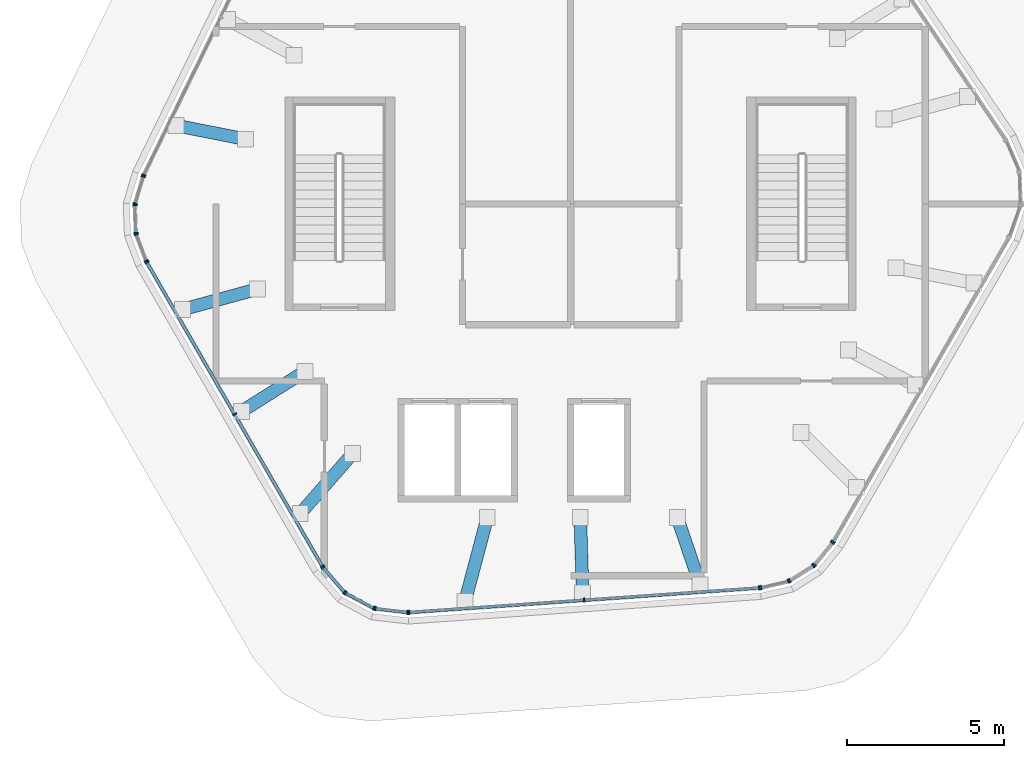
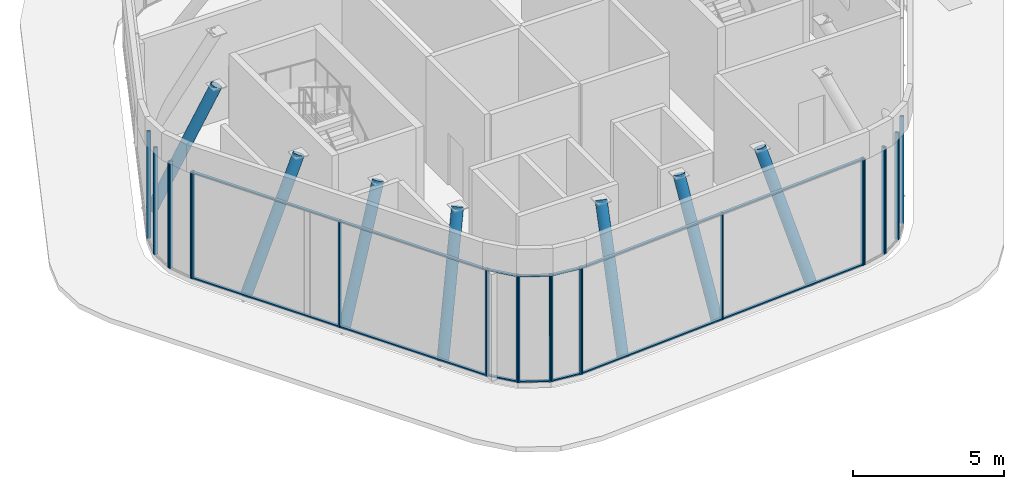
# One storey, part 1 of 9: 47 members, 13 elements without a shape of their own.
"""IFC4 building model written with IfcOpenShell, lengths in metres."""

from ifc_helpers import new_model, si_unit, direction, frame, origin, origin_2d, place, context, subcontext, project, spatial, rectangle, hollow_circle, extrude, material, material_profile, profile_set, type_object, element, aggregate, save


model = new_model("IFC4")

# Units and contexts
model_context = context("Model", 3, precision=1e-05, world=origin(), true_north=direction((0.0, 1.0)))
body_context = subcontext(model_context, "Body", "Model", "MODEL_VIEW")
ifc_project = project(units=[si_unit("LENGTHUNIT", "METRE"), si_unit("AREAUNIT", "SQUARE_METRE"), si_unit("VOLUMEUNIT", "CUBIC_METRE"), si_unit("PLANEANGLEUNIT", "RADIAN"), si_unit("MASSUNIT", "GRAM", prefix="KILO")], contexts=[model_context])

# Site, building, storey
site_placement = place(None, origin())
site = spatial("IfcSite", under=ifc_project, at=site_placement, CompositionType="ELEMENT")
building_placement = place(site_placement, origin())
building = spatial("IfcBuilding", under=site, at=building_placement, Name="Tarnside Tower", CompositionType="ELEMENT")
storey_placement = place(building_placement, frame((0.0, 0.0, 401.699951171875)))
storey = spatial("IfcBuildingStorey", under=building, at=storey_placement, Name="L95", CompositionType="ELEMENT", Elevation=401.699951171875)

# Curtain wall, member
ifc_material_1 = material(Name="Crown glazing wall", Category="glass")
curtain_wall_type = type_object("IfcCurtainWallType", Name="Crown glazing wall", PredefinedType="NOTDEFINED", material=ifc_material_1)
curtain_wall_1_placement = place(storey_placement, origin())
curtain_wall_1 = element("IfcCurtainWall", 1, at=curtain_wall_1_placement, inside=storey, type_object=curtain_wall_type, Name="Crown glazing L95 08", PredefinedType="NOTDEFINED")
ifc_material_2 = material(Name="Aluminium alloy 6063", Category="aluminium")
ifc_material_profile_1 = material_profile(ifc_material_2, rectangle(XDim=0.139892578125, YDim=0.050048828125, at=origin_2d()), Name="Crown glazing mullion 50 x 140")
ifc_profile_set_1 = profile_set([ifc_material_profile_1], Name="Aluminium alloy 6063")
member_type_1 = type_object("IfcMemberType", Name="Crown glazing mullion 50 x 140", PredefinedType="MULLION", material=ifc_profile_set_1)
member_1_placement = place(storey_placement, frame((8.3671875, -10.767333984375, 0.0), z_axis=(0.0, 0.0, 1.0), x_axis=(0.866025403802, -0.49999999997, 0.0)))
member_1 = element("IfcMember", 2, at=member_1_placement, type_object=member_type_1, Name="CW6 mullion 3", PredefinedType="MULLION", context=body_context, shape_type="SweptSolid", body=[
    extrude(rectangle(XDim=0.139892578125, YDim=0.050048828125, at=origin_2d()), origin(), (0.0, 0.0, 1.0), 4.300048828125),
])
aggregate(curtain_wall_1, [member_1])

# Curtain wall, members
curtain_wall_2_placement = place(storey_placement, origin())
curtain_wall_2 = element("IfcCurtainWall", 3, at=curtain_wall_2_placement, inside=storey, type_object=curtain_wall_type, Name="Crown glazing L95 09", PredefinedType="NOTDEFINED")
member_2_placement = place(storey_placement, frame((8.3388671875, -10.808349609375, 0.0), z_axis=(0.0, 0.0, 1.0), x_axis=(0.773471592926, -0.633830967165, 0.0)))
member_2 = element("IfcMember", 4, at=member_2_placement, type_object=member_type_1, Name="CW6 mullion 1", PredefinedType="MULLION", context=body_context, shape_type="SweptSolid", body=[
    extrude(rectangle(XDim=0.139892578125, YDim=0.050048828125, at=origin_2d()), origin(), (0.0, 0.0, 1.0), 4.300048828125),
])
member_3_placement = place(storey_placement, frame((7.767578125, -11.505615234375, 0.0), z_axis=(0.0, 0.0, 1.0), x_axis=(0.773471592926, -0.633830967165, 0.0)))
member_3 = element("IfcMember", 5, at=member_3_placement, type_object=member_type_1, Name="CW6 mullion 2", PredefinedType="MULLION", context=body_context, shape_type="SweptSolid", body=[
    extrude(rectangle(XDim=0.139892578125, YDim=0.050048828125, at=origin_2d()), origin(), (0.0, 0.0, 1.0), 4.300048828125),
])
aggregate(curtain_wall_2, [member_2, member_3])

curtain_wall_3_placement = place(storey_placement, origin())
curtain_wall_3 = element("IfcCurtainWall", 6, at=curtain_wall_3_placement, inside=storey, type_object=curtain_wall_type, Name="Crown glazing L95 10", PredefinedType="NOTDEFINED")
member_4_placement = place(storey_placement, frame((7.73046875, -11.5380859375, 0.0), z_axis=(0.0, 0.0, 1.0), x_axis=(0.529919263508, -0.84804809661, 0.0)))
member_4 = element("IfcMember", 7, at=member_4_placement, type_object=member_type_1, Name="CW6 mullion 1", PredefinedType="MULLION", context=body_context, shape_type="SweptSolid", body=[
    extrude(rectangle(XDim=0.139892578125, YDim=0.050048828125, at=origin_2d()), origin(), (0.0, 0.0, 1.0), 4.300048828125),
])
member_5_placement = place(storey_placement, frame((6.981689453125, -12.006103515625, 0.0), z_axis=(0.0, 0.0, 1.0), x_axis=(0.529919263508, -0.84804809661, 0.0)))
member_5 = element("IfcMember", 8, at=member_5_placement, type_object=member_type_1, Name="CW6 mullion 2", PredefinedType="MULLION", context=body_context, shape_type="SweptSolid", body=[
    extrude(rectangle(XDim=0.139892578125, YDim=0.050048828125, at=origin_2d()), origin(), (0.0, 0.0, 1.0), 4.300048828125),
])
aggregate(curtain_wall_3, [member_4, member_5])

curtain_wall_4_placement = place(storey_placement, origin())
curtain_wall_4 = element("IfcCurtainWall", 9, at=curtain_wall_4_placement, inside=storey, type_object=curtain_wall_type, Name="Crown glazing L95 11", PredefinedType="NOTDEFINED")
member_6_placement = place(storey_placement, frame((6.93603515625, -12.025146484375, 0.0), z_axis=(0.0, 0.0, 1.0), x_axis=(0.230615870907, -0.973044870541, 0.0)))
member_6 = element("IfcMember", 10, at=member_6_placement, type_object=member_type_1, Name="CW6 mullion 1", PredefinedType="MULLION", context=body_context, shape_type="SweptSolid", body=[
    extrude(rectangle(XDim=0.139892578125, YDim=0.050048828125, at=origin_2d()), origin(), (0.0, 0.0, 1.0), 4.300048828125),
])
member_7_placement = place(storey_placement, frame((6.05908203125, -12.233154296875, 0.0), z_axis=(0.0, 0.0, 1.0), x_axis=(0.230615870907, -0.973044870541, 0.0)))
member_7 = element("IfcMember", 11, at=member_7_placement, type_object=member_type_1, Name="CW6 mullion 2", PredefinedType="MULLION", context=body_context, shape_type="SweptSolid", body=[
    extrude(rectangle(XDim=0.139892578125, YDim=0.050048828125, at=origin_2d()), origin(), (0.0, 0.0, 1.0), 4.300048828125),
])
aggregate(curtain_wall_4, [member_6, member_7])

curtain_wall_5_placement = place(storey_placement, origin())
curtain_wall_5 = element("IfcCurtainWall", 12, at=curtain_wall_5_placement, inside=storey, type_object=curtain_wall_type, Name="Crown glazing L95 12", PredefinedType="NOTDEFINED")
member_8_placement = place(storey_placement, frame((6.009765625, -12.24072265625, 0.0), z_axis=(0.0, 0.0, 1.0), x_axis=(0.069756473727, -0.997564050261, 0.0)))
member_8 = element("IfcMember", 13, at=member_8_placement, type_object=member_type_1, Name="CW6 mullion 1", PredefinedType="MULLION", context=body_context, shape_type="SweptSolid", body=[
    extrude(rectangle(XDim=0.139892578125, YDim=0.050048828125, at=origin_2d()), origin(), (0.0, 0.0, 1.0), 4.300048828125),
])
member_9_placement = place(storey_placement, frame((0.42919921875, -12.630859375, 0.0), z_axis=(0.0, 0.0, 1.0), x_axis=(0.069756473727, -0.997564050261, 0.0)))
member_9 = element("IfcMember", 14, at=member_9_placement, type_object=member_type_1, Name="CW6 mullion 2", PredefinedType="MULLION", context=body_context, shape_type="SweptSolid", body=[
    extrude(rectangle(XDim=0.139892578125, YDim=0.050048828125, at=origin_2d()), origin(), (0.0, 0.0, 1.0), 4.300048828125),
])
member_10_placement = place(storey_placement, frame((-5.151123046875, -13.02099609375, 0.0), z_axis=(0.0, 0.0, 1.0), x_axis=(0.069756473727, -0.997564050261, 0.0)))
member_10 = element("IfcMember", 15, at=member_10_placement, type_object=member_type_1, Name="CW6 mullion 3", PredefinedType="MULLION", context=body_context, shape_type="SweptSolid", body=[
    extrude(rectangle(XDim=0.139892578125, YDim=0.050048828125, at=origin_2d()), origin(), (0.0, 0.0, 1.0), 4.300048828125),
])

curtain_wall_6_placement = place(storey_placement, origin())
curtain_wall_6 = element("IfcCurtainWall", 16, at=curtain_wall_6_placement, inside=storey, type_object=curtain_wall_type, Name="Crown glazing L95 13", PredefinedType="NOTDEFINED")
member_11_placement = place(storey_placement, frame((-5.200927734375, -13.019775390625, 0.0), z_axis=(0.0, 0.0, 1.0), x_axis=(-0.11609291375, -0.993238357786, 0.0)))
member_11 = element("IfcMember", 17, at=member_11_placement, type_object=member_type_1, Name="CW6 mullion 1", PredefinedType="MULLION", context=body_context, shape_type="SweptSolid", body=[
    extrude(rectangle(XDim=0.139892578125, YDim=0.050048828125, at=origin_2d()), origin(), (0.0, 0.0, 1.0), 4.300048828125),
])
member_12_placement = place(storey_placement, frame((-6.2294921875, -12.899658203125, 0.0), z_axis=(0.0, 0.0, 1.0), x_axis=(-0.11609291375, -0.993238357786, 0.0)))
member_12 = element("IfcMember", 18, at=member_12_placement, type_object=member_type_1, Name="CW6 mullion 2", PredefinedType="MULLION", context=body_context, shape_type="SweptSolid", body=[
    extrude(rectangle(XDim=0.139892578125, YDim=0.050048828125, at=origin_2d()), origin(), (0.0, 0.0, 1.0), 4.300048828125),
])

curtain_wall_7_placement = place(storey_placement, origin())
curtain_wall_7 = element("IfcCurtainWall", 19, at=curtain_wall_7_placement, inside=storey, type_object=curtain_wall_type, Name="Crown glazing L95 14", PredefinedType="NOTDEFINED")
member_13_placement = place(storey_placement, frame((-6.2763671875, -12.885009765625, 0.0), z_axis=(0.0, 0.0, 1.0), x_axis=(-0.469471562524, -0.882947592998, 0.0)))
member_13 = element("IfcMember", 20, at=member_13_placement, type_object=member_type_1, Name="CW6 mullion 1", PredefinedType="MULLION", context=body_context, shape_type="SweptSolid", body=[
    extrude(rectangle(XDim=0.139892578125, YDim=0.050048828125, at=origin_2d()), origin(), (0.0, 0.0, 1.0), 4.300048828125),
])
member_14_placement = place(storey_placement, frame((-7.17236328125, -12.40869140625, 0.0), z_axis=(0.0, 0.0, 1.0), x_axis=(-0.469471562524, -0.882947592998, 0.0)))
member_14 = element("IfcMember", 21, at=member_14_placement, type_object=member_type_1, Name="CW6 mullion 2", PredefinedType="MULLION", context=body_context, shape_type="SweptSolid", body=[
    extrude(rectangle(XDim=0.139892578125, YDim=0.050048828125, at=origin_2d()), origin(), (0.0, 0.0, 1.0), 4.300048828125),
])

curtain_wall_8_placement = place(storey_placement, origin())
curtain_wall_8 = element("IfcCurtainWall", 22, at=curtain_wall_8_placement, inside=storey, type_object=curtain_wall_type, Name="Crown glazing L95 15", PredefinedType="NOTDEFINED")
member_15_placement = place(storey_placement, frame((-7.210693359375, -12.3779296875, 0.0), z_axis=(0.0, 0.0, 1.0), x_axis=(-0.758513583641, -0.651657228482, 0.0)))
member_15 = element("IfcMember", 23, at=member_15_placement, type_object=member_type_1, Name="CW6 mullion 1", PredefinedType="MULLION", context=body_context, shape_type="SweptSolid", body=[
    extrude(rectangle(XDim=0.139892578125, YDim=0.050048828125, at=origin_2d()), origin(), (0.0, 0.0, 1.0), 4.300048828125),
])
member_16_placement = place(storey_placement, frame((-7.8857421875, -11.592529296875, 0.0), z_axis=(0.0, 0.0, 1.0), x_axis=(-0.758513583641, -0.651657228482, 0.0)))
member_16 = element("IfcMember", 24, at=member_16_placement, type_object=member_type_1, Name="CW6 mullion 2", PredefinedType="MULLION", context=body_context, shape_type="SweptSolid", body=[
    extrude(rectangle(XDim=0.139892578125, YDim=0.050048828125, at=origin_2d()), origin(), (0.0, 0.0, 1.0), 4.300048828125),
])

curtain_wall_9_placement = place(storey_placement, origin())
curtain_wall_9 = element("IfcCurtainWall", 25, at=curtain_wall_9_placement, inside=storey, type_object=curtain_wall_type, Name="Crown glazing L95 16", PredefinedType="NOTDEFINED")
member_17_placement = place(storey_placement, frame((-7.91455078125, -11.5517578125, 0.0), z_axis=(0.0, 0.0, 1.0), x_axis=(-0.866025403758, -0.500000000045, 0.0)))
member_17 = element("IfcMember", 26, at=member_17_placement, type_object=member_type_1, Name="CW6 mullion 1", PredefinedType="MULLION", context=body_context, shape_type="SweptSolid", body=[
    extrude(rectangle(XDim=0.139892578125, YDim=0.050048828125, at=origin_2d()), origin(), (0.0, 0.0, 1.0), 4.300048828125),
])
member_18_placement = place(storey_placement, frame((-10.71142578125, -6.707275390625, 0.0), z_axis=(0.0, 0.0, 1.0), x_axis=(-0.866025403758, -0.500000000045, 0.0)))
member_18 = element("IfcMember", 27, at=member_18_placement, type_object=member_type_1, Name="CW6 mullion 2", PredefinedType="MULLION", context=body_context, shape_type="SweptSolid", body=[
    extrude(rectangle(XDim=0.139892578125, YDim=0.050048828125, at=origin_2d()), origin(), (0.0, 0.0, 1.0), 4.300048828125),
])
member_19_placement = place(storey_placement, frame((-13.508544921875, -1.862548828125, 0.0), z_axis=(0.0, 0.0, 1.0), x_axis=(-0.866025403758, -0.500000000045, 0.0)))
member_19 = element("IfcMember", 28, at=member_19_placement, type_object=member_type_1, Name="CW6 mullion 3", PredefinedType="MULLION", context=body_context, shape_type="SweptSolid", body=[
    extrude(rectangle(XDim=0.139892578125, YDim=0.050048828125, at=origin_2d()), origin(), (0.0, 0.0, 1.0), 4.300048828125),
])

curtain_wall_10_placement = place(storey_placement, origin())
curtain_wall_10 = element("IfcCurtainWall", 29, at=curtain_wall_10_placement, inside=storey, type_object=curtain_wall_type, Name="Crown glazing L95 17", PredefinedType="NOTDEFINED")
member_20_placement = place(storey_placement, frame((-13.52978515625, -1.817626953125, 0.0), z_axis=(0.0, 0.0, 1.0), x_axis=(-0.935649515813, -0.352930564785, 0.0)))
member_20 = element("IfcMember", 30, at=member_20_placement, type_object=member_type_1, Name="CW6 mullion 1", PredefinedType="MULLION", context=body_context, shape_type="SweptSolid", body=[
    extrude(rectangle(XDim=0.139892578125, YDim=0.050048828125, at=origin_2d()), origin(), (0.0, 0.0, 1.0), 4.300048828125),
])
member_21_placement = place(storey_placement, frame((-13.847900390625, -0.97412109375, 0.0), z_axis=(0.0, 0.0, 1.0), x_axis=(-0.935649515813, -0.352930564785, 0.0)))
member_21 = element("IfcMember", 31, at=member_21_placement, type_object=member_type_1, Name="CW6 mullion 2", PredefinedType="MULLION", context=body_context, shape_type="SweptSolid", body=[
    extrude(rectangle(XDim=0.139892578125, YDim=0.050048828125, at=origin_2d()), origin(), (0.0, 0.0, 1.0), 4.300048828125),
])
aggregate(curtain_wall_10, [member_20, member_21])

curtain_wall_11_placement = place(storey_placement, origin())
curtain_wall_11 = element("IfcCurtainWall", 32, at=curtain_wall_11_placement, inside=storey, type_object=curtain_wall_type, Name="Crown glazing L95 18", PredefinedType="NOTDEFINED")
member_22_placement = place(storey_placement, frame((-13.857666015625, -0.92578125, 0.0), z_axis=(0.0, 0.0, 1.0), x_axis=(-0.999390827046, -0.034899495935, 0.0)))
member_22 = element("IfcMember", 33, at=member_22_placement, type_object=member_type_1, Name="CW6 mullion 1", PredefinedType="MULLION", context=body_context, shape_type="SweptSolid", body=[
    extrude(rectangle(XDim=0.139892578125, YDim=0.050048828125, at=origin_2d()), origin(), (0.0, 0.0, 1.0), 4.300048828125),
])
member_23_placement = place(storey_placement, frame((-13.888427734375, -0.043212890625, 0.0), z_axis=(0.0, 0.0, 1.0), x_axis=(-0.999390827046, -0.034899495935, 0.0)))
member_23 = element("IfcMember", 34, at=member_23_placement, type_object=member_type_1, Name="CW6 mullion 2", PredefinedType="MULLION", context=body_context, shape_type="SweptSolid", body=[
    extrude(rectangle(XDim=0.139892578125, YDim=0.050048828125, at=origin_2d()), origin(), (0.0, 0.0, 1.0), 4.300048828125),
])
aggregate(curtain_wall_11, [member_22, member_23])

curtain_wall_12_placement = place(storey_placement, origin())
curtain_wall_12 = element("IfcCurtainWall", 35, at=curtain_wall_12_placement, inside=storey, type_object=curtain_wall_type, Name="Crown glazing L95 19", PredefinedType="NOTDEFINED")
member_24_placement = place(storey_placement, frame((-13.882080078125, 0.005859375, 0.0), z_axis=(0.0, 0.0, 1.0), x_axis=(-0.957989512284, 0.286803232817, 0.0)))
member_24 = element("IfcMember", 36, at=member_24_placement, type_object=member_type_1, Name="CW6 mullion 1", PredefinedType="MULLION", context=body_context, shape_type="SweptSolid", body=[
    extrude(rectangle(XDim=0.139892578125, YDim=0.050048828125, at=origin_2d()), origin(), (0.0, 0.0, 1.0), 4.300048828125),
])
member_25_placement = place(storey_placement, frame((-13.62353515625, 0.869384765625, 0.0), z_axis=(0.0, 0.0, 1.0), x_axis=(-0.957989512284, 0.286803232817, 0.0)))
member_25 = element("IfcMember", 37, at=member_25_placement, type_object=member_type_1, Name="CW6 mullion 2", PredefinedType="MULLION", context=body_context, shape_type="SweptSolid", body=[
    extrude(rectangle(XDim=0.139892578125, YDim=0.050048828125, at=origin_2d()), origin(), (0.0, 0.0, 1.0), 4.300048828125),
])
aggregate(curtain_wall_12, [member_24, member_25])

# Curtain wall, member
curtain_wall_13_placement = place(storey_placement, origin())
curtain_wall_13 = element("IfcCurtainWall", 38, at=curtain_wall_13_placement, inside=storey, type_object=curtain_wall_type, Name="Crown glazing L95 20", PredefinedType="NOTDEFINED")
member_26_placement = place(storey_placement, frame((-13.60546875, 0.915771484375, 0.0), z_axis=(0.0, 0.0, 1.0), x_axis=(-0.898794046307, 0.438371146773, 0.0)))
member_26 = element("IfcMember", 39, at=member_26_placement, type_object=member_type_1, Name="CW6 mullion 1", PredefinedType="MULLION", context=body_context, shape_type="SweptSolid", body=[
    extrude(rectangle(XDim=0.139892578125, YDim=0.050048828125, at=origin_2d()), origin(), (0.0, 0.0, 1.0), 4.300048828125),
])
aggregate(curtain_wall_13, [member_26])

# Member
ifc_material_profile_2 = material_profile(ifc_material_2, rectangle(XDim=0.10009765625, YDim=0.050048828125, at=origin_2d()), Name="Crown glazing transom 50 x 100")
ifc_profile_set_2 = profile_set([ifc_material_profile_2], Name="Aluminium alloy 6063")
member_type_2 = type_object("IfcMemberType", Name="Crown glazing transom 50 x 100", PredefinedType="USERDEFINED", material=ifc_profile_set_2)
member_27_placement = place(storey_placement, frame((5.98486328125, -12.242431640625, 0.025146484375), z_axis=(-0.997564424075, -0.069751127736, 0.0), x_axis=(0.069751127736, -0.997564424075, 0.0)))
member_27 = element("IfcMember", 40, at=member_27_placement, type_object=member_type_2, Name="CW6 transom 1.1", ObjectType="TRANSOM", PredefinedType="USERDEFINED", context=body_context, shape_type="SweptSolid", body=[
    extrude(rectangle(XDim=0.10009765625, YDim=0.050048828125, at=origin_2d()), origin(), (0.0, 0.0, 1.0), 5.544189453125),
])

member_28_placement = place(storey_placement, frame((5.98486328125, -12.242431640625, 4.275146484375), z_axis=(-0.997564424075, -0.069751127736, 0.0), x_axis=(0.069751127736, -0.997564424075, 0.0)))
member_28 = element("IfcMember", 41, at=member_28_placement, type_object=member_type_2, Name="CW6 transom 1.2", ObjectType="TRANSOM", PredefinedType="USERDEFINED", context=body_context, shape_type="SweptSolid", body=[
    extrude(rectangle(XDim=0.10009765625, YDim=0.050048828125, at=origin_2d()), origin(), (0.0, 0.0, 1.0), 5.544189453125),
])

member_29_placement = place(storey_placement, frame((0.404296875, -12.632568359375, 0.025146484375), z_axis=(-0.997564209822, -0.069754191867, 0.0), x_axis=(0.069754191867, -0.997564209822, 0.0)))
member_29 = element("IfcMember", 42, at=member_29_placement, type_object=member_type_2, Name="CW6 transom 2.1", ObjectType="TRANSOM", PredefinedType="USERDEFINED", context=body_context, shape_type="SweptSolid", body=[
    extrude(rectangle(XDim=0.10009765625, YDim=0.050048828125, at=origin_2d()), origin(), (0.0, 0.0, 1.0), 5.5439453125),
])

member_30_placement = place(storey_placement, frame((0.404296875, -12.632568359375, 4.275146484375), z_axis=(-0.997564209822, -0.069754191867, 0.0), x_axis=(0.069754191867, -0.997564209822, 0.0)))
member_30 = element("IfcMember", 43, at=member_30_placement, type_object=member_type_2, Name="CW6 transom 2.2", ObjectType="TRANSOM", PredefinedType="USERDEFINED", context=body_context, shape_type="SweptSolid", body=[
    extrude(rectangle(XDim=0.10009765625, YDim=0.050048828125, at=origin_2d()), origin(), (0.0, 0.0, 1.0), 5.5439453125),
])

aggregate(curtain_wall_5, [member_8, member_9, member_10, member_27, member_28, member_29, member_30])

member_31_placement = place(storey_placement, frame((-5.225830078125, -13.01708984375, 0.025146484375), z_axis=(-0.993229837763, 0.116165784018, 0.0), x_axis=(-0.116165784018, -0.993229837763, 0.0)))
member_31 = element("IfcMember", 44, at=member_31_placement, type_object=member_type_2, Name="CW6 transom 1.1", ObjectType="TRANSOM", PredefinedType="USERDEFINED", context=body_context, shape_type="SweptSolid", body=[
    extrude(rectangle(XDim=0.10009765625, YDim=0.050048828125, at=origin_2d()), origin(), (0.0, 0.0, 1.0), 0.985595703125),
])

member_32_placement = place(storey_placement, frame((-5.225830078125, -13.01708984375, 4.275146484375), z_axis=(-0.993229837763, 0.116165784018, 0.0), x_axis=(-0.116165784018, -0.993229837763, 0.0)))
member_32 = element("IfcMember", 45, at=member_32_placement, type_object=member_type_2, Name="CW6 transom 1.2", ObjectType="TRANSOM", PredefinedType="USERDEFINED", context=body_context, shape_type="SweptSolid", body=[
    extrude(rectangle(XDim=0.10009765625, YDim=0.050048828125, at=origin_2d()), origin(), (0.0, 0.0, 1.0), 0.985595703125),
])

aggregate(curtain_wall_6, [member_11, member_12, member_31, member_32])

member_33_placement = place(storey_placement, frame((-6.298583984375, -12.873291015625, 0.025146484375), z_axis=(-0.882961671095, 0.469445084517, 0.0), x_axis=(-0.469445084517, -0.882961671095, 0.0)))
member_33 = element("IfcMember", 46, at=member_33_placement, type_object=member_type_2, Name="CW6 transom 1.1", ObjectType="TRANSOM", PredefinedType="USERDEFINED", context=body_context, shape_type="SweptSolid", body=[
    extrude(rectangle(XDim=0.10009765625, YDim=0.050048828125, at=origin_2d()), origin(), (0.0, 0.0, 1.0), 0.964599609375),
])

member_34_placement = place(storey_placement, frame((-6.298583984375, -12.873291015625, 4.275146484375), z_axis=(-0.882961671095, 0.469445084517, 0.0), x_axis=(-0.469445084517, -0.882961671095, 0.0)))
member_34 = element("IfcMember", 47, at=member_34_placement, type_object=member_type_2, Name="CW6 transom 1.2", ObjectType="TRANSOM", PredefinedType="USERDEFINED", context=body_context, shape_type="SweptSolid", body=[
    extrude(rectangle(XDim=0.10009765625, YDim=0.050048828125, at=origin_2d()), origin(), (0.0, 0.0, 1.0), 0.964599609375),
])

aggregate(curtain_wall_7, [member_13, member_14, member_33, member_34])

member_35_placement = place(storey_placement, frame((-7.22705078125, -12.35888671875, 0.025146484375), z_axis=(-0.651708859179, 0.758469223415, 0.0), x_axis=(-0.758469223415, -0.651708859179, 0.0)))
member_35 = element("IfcMember", 48, at=member_35_placement, type_object=member_type_2, Name="CW6 transom 1.1", ObjectType="TRANSOM", PredefinedType="USERDEFINED", context=body_context, shape_type="SweptSolid", body=[
    extrude(rectangle(XDim=0.10009765625, YDim=0.050048828125, at=origin_2d()), origin(), (0.0, 0.0, 1.0), 0.985595703125),
])

member_36_placement = place(storey_placement, frame((-7.22705078125, -12.35888671875, 4.275146484375), z_axis=(-0.651708859179, 0.758469223415, 0.0), x_axis=(-0.758469223415, -0.651708859179, 0.0)))
member_36 = element("IfcMember", 49, at=member_36_placement, type_object=member_type_2, Name="CW6 transom 1.2", ObjectType="TRANSOM", PredefinedType="USERDEFINED", context=body_context, shape_type="SweptSolid", body=[
    extrude(rectangle(XDim=0.10009765625, YDim=0.050048828125, at=origin_2d()), origin(), (0.0, 0.0, 1.0), 0.985595703125),
])

aggregate(curtain_wall_8, [member_15, member_16, member_35, member_36])

member_37_placement = place(storey_placement, frame((-7.927001953125, -11.5302734375, 0.025146484375), z_axis=(-0.499975304517, 0.866039661259, 0.0), x_axis=(-0.866039661259, -0.499975304517, 0.0)))
member_37 = element("IfcMember", 50, at=member_37_placement, type_object=member_type_2, Name="CW6 transom 1.1", ObjectType="TRANSOM", PredefinedType="USERDEFINED", context=body_context, shape_type="SweptSolid", body=[
    extrude(rectangle(XDim=0.10009765625, YDim=0.050048828125, at=origin_2d()), origin(), (0.0, 0.0, 1.0), 5.544189453125),
])

member_38_placement = place(storey_placement, frame((-7.927001953125, -11.5302734375, 4.275146484375), z_axis=(-0.499975304517, 0.866039661259, 0.0), x_axis=(-0.866039661259, -0.499975304517, 0.0)))
member_38 = element("IfcMember", 51, at=member_38_placement, type_object=member_type_2, Name="CW6 transom 1.2", ObjectType="TRANSOM", PredefinedType="USERDEFINED", context=body_context, shape_type="SweptSolid", body=[
    extrude(rectangle(XDim=0.10009765625, YDim=0.050048828125, at=origin_2d()), origin(), (0.0, 0.0, 1.0), 5.544189453125),
])

member_39_placement = place(storey_placement, frame((-10.723876953125, -6.685546875, 0.025146484375), z_axis=(-0.500027399075, 0.866009584343, 0.0), x_axis=(-0.866009584343, -0.500027399075, 0.0)))
member_39 = element("IfcMember", 52, at=member_39_placement, type_object=member_type_2, Name="CW6 transom 2.1", ObjectType="TRANSOM", PredefinedType="USERDEFINED", context=body_context, shape_type="SweptSolid", body=[
    extrude(rectangle(XDim=0.10009765625, YDim=0.050048828125, at=origin_2d()), origin(), (0.0, 0.0, 1.0), 5.544189453125),
])

member_40_placement = place(storey_placement, frame((-10.723876953125, -6.685546875, 4.275146484375), z_axis=(-0.500027399075, 0.866009584343, 0.0), x_axis=(-0.866009584343, -0.500027399075, 0.0)))
member_40 = element("IfcMember", 53, at=member_40_placement, type_object=member_type_2, Name="CW6 transom 2.2", ObjectType="TRANSOM", PredefinedType="USERDEFINED", context=body_context, shape_type="SweptSolid", body=[
    extrude(rectangle(XDim=0.10009765625, YDim=0.050048828125, at=origin_2d()), origin(), (0.0, 0.0, 1.0), 5.544189453125),
])

aggregate(curtain_wall_9, [member_17, member_18, member_19, member_37, member_38, member_39, member_40])

# Members
ifc_material_3 = material(Name="Steel S355", Category="steel")
ifc_material_profile_3 = material_profile(ifc_material_3, hollow_circle(Radius=0.203125, WallThickness=0.01611328125, at=origin_2d()), Name="CHS 406.4x16")
ifc_profile_set_3 = profile_set([ifc_material_profile_3], Name="Steel S355")
member_type_3 = type_object("IfcMemberType", Name="Truss diagonal CHS 406.4x16", PredefinedType="BRACE", material=ifc_profile_set_3)
member_41_placement = place(storey_placement, frame((-12.578125, 2.497314453125, -0.199951171875), z_axis=(0.440490712152, -0.087448579809, 0.893487928512), x_axis=(0.19472516248, 0.98085784449, 0.0)))
element("IfcMember", 54, at=member_41_placement, inside=storey, type_object=member_type_3, Name="Crown leg L95 6", PredefinedType="BRACE", context=body_context, shape_type="SweptSolid", body=[
    extrude(hollow_circle(Radius=0.203125, WallThickness=0.01611328125, at=origin_2d()), origin(), (0.0, 0.0, 1.0), 5.036376953125),
])
member_42_placement = place(storey_placement, frame((-12.373291015625, -3.36865234375, -0.199951171875), z_axis=(0.465995473594, 0.126843502344, 0.875647728543), x_axis=(-0.262642936865, 0.964893096521, 0.0)))
element("IfcMember", 55, at=member_42_placement, inside=storey, type_object=member_type_3, Name="Crown leg L95 7", PredefinedType="BRACE", context=body_context, shape_type="SweptSolid", body=[
    extrude(hollow_circle(Radius=0.203125, WallThickness=0.01611328125, at=origin_2d()), origin(), (0.0, 0.0, 1.0), 5.13916015625),
])
member_43_placement = place(storey_placement, frame((-10.495849609375, -6.620849609375, -0.199951171875), z_axis=(0.398261789152, 0.251228954604, 0.882197007289), x_axis=(-0.533530178906, 0.845781028515, 0.0)))
element("IfcMember", 56, at=member_43_placement, inside=storey, type_object=member_type_3, Name="Crown leg L95 8", PredefinedType="BRACE", context=body_context, shape_type="SweptSolid", body=[
    extrude(hollow_circle(Radius=0.203125, WallThickness=0.01611328125, at=origin_2d()), origin(), (0.0, 0.0, 1.0), 5.100830078125),
])
member_44_placement = place(storey_placement, frame((-8.6181640625, -9.872802734375, -0.199951171875), z_axis=(0.322898163236, 0.369924461893, 0.871144459129), x_axis=(-0.753369168266, 0.657597822613, 0.0)))
element("IfcMember", 57, at=member_44_placement, inside=storey, type_object=member_type_3, Name="Crown leg L95 9", PredefinedType="BRACE", context=body_context, shape_type="SweptSolid", body=[
    extrude(hollow_circle(Radius=0.203125, WallThickness=0.01611328125, at=origin_2d()), origin(), (0.0, 0.0, 1.0), 5.16552734375),
])
member_45_placement = place(storey_placement, frame((-3.36572265625, -12.66552734375, -0.199951171875), z_axis=(0.134190967354, 0.505031706848, 0.852605277581), x_axis=(-0.966465219559, 0.256797545516, 0.0)))
element("IfcMember", 58, at=member_45_placement, inside=storey, type_object=member_type_3, Name="Crown leg L95 10", PredefinedType="BRACE", context=body_context, shape_type="SweptSolid", body=[
    extrude(hollow_circle(Radius=0.203125, WallThickness=0.01611328125, at=origin_2d()), origin(), (0.0, 0.0, 1.0), 5.27783203125),
])
member_46_placement = place(storey_placement, frame((0.38037109375, -12.40380859375, -0.199951171875), z_axis=(-0.014450363789, 0.471120138635, 0.881950680004), x_axis=(-0.999529934992, -0.030657936255, 0.0)))
element("IfcMember", 59, at=member_46_placement, inside=storey, type_object=member_type_3, Name="Crown leg L95 11", PredefinedType="BRACE", context=body_context, shape_type="SweptSolid", body=[
    extrude(hollow_circle(Radius=0.203125, WallThickness=0.01611328125, at=origin_2d()), origin(), (0.0, 0.0, 1.0), 5.102294921875),
])
member_47_placement = place(storey_placement, frame((4.126220703125, -12.1416015625, -0.199951171875), z_axis=(-0.144502366129, 0.425217965679, 0.893481252096), x_axis=(-0.946821419709, -0.321759536269, 0.0)))
element("IfcMember", 60, at=member_47_placement, inside=storey, type_object=member_type_3, Name="Crown leg L95 12", PredefinedType="BRACE", context=body_context, shape_type="SweptSolid", body=[
    extrude(hollow_circle(Radius=0.203125, WallThickness=0.01611328125, at=origin_2d()), origin(), (0.0, 0.0, 1.0), 5.036376953125),
])

save(model, "model.ifc")
